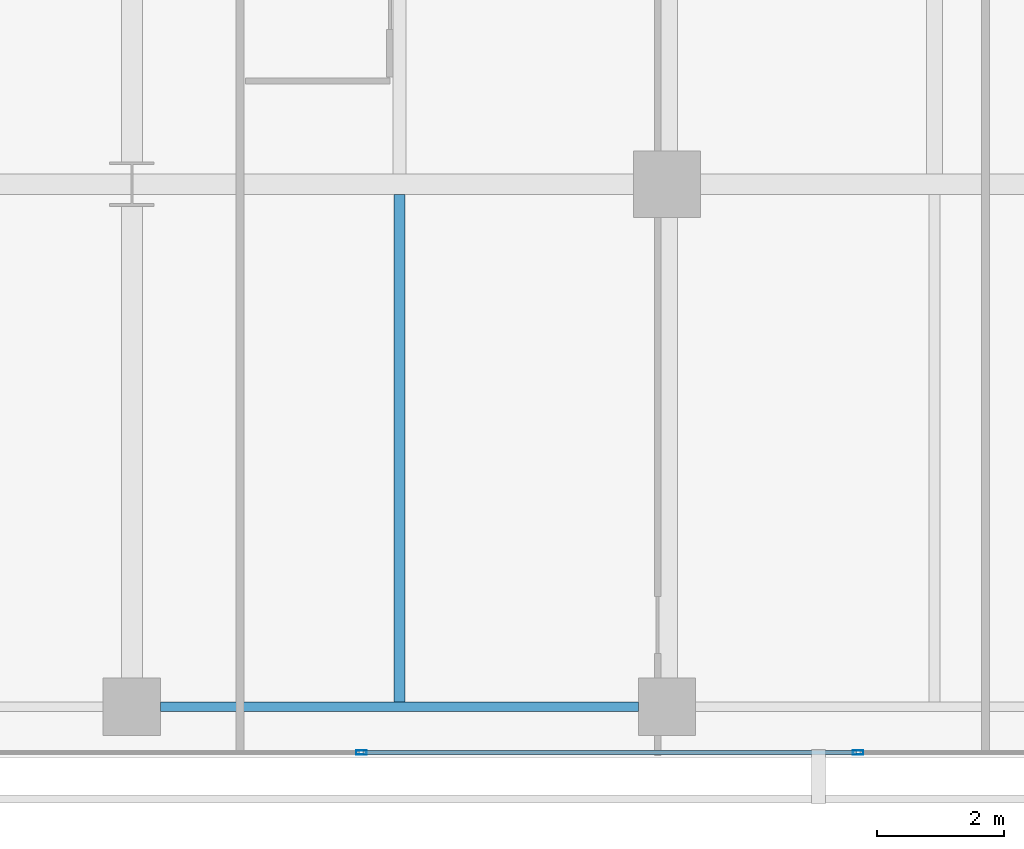
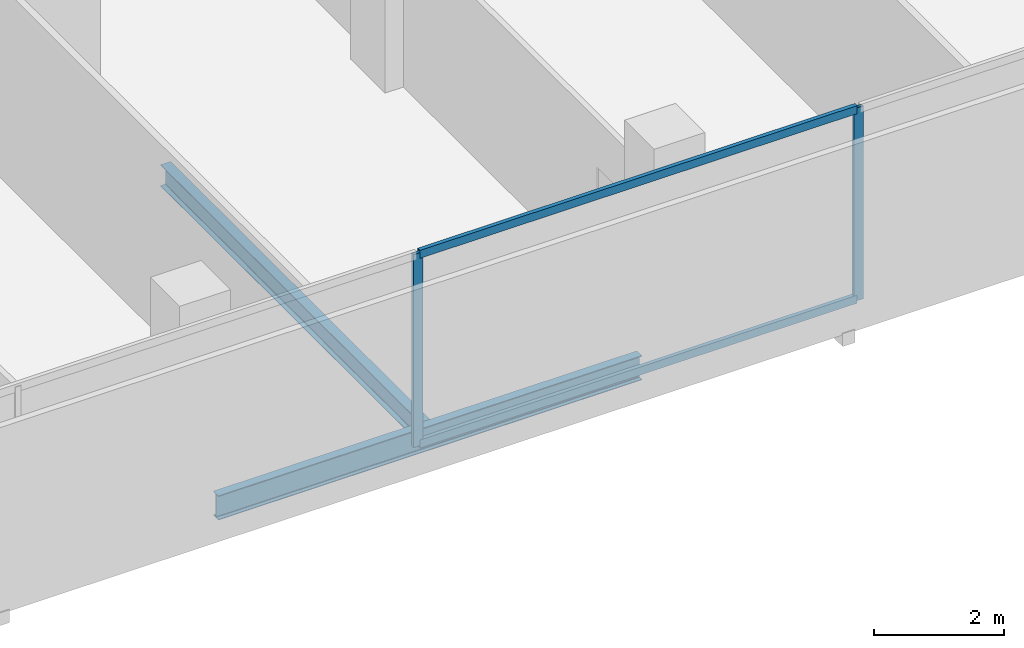
# One storey, part 14 of 39: 4 members, 2 beams, 1 element without a shape of its own.
"""IFC4 building model written with IfcOpenShell, lengths in metres."""

import ifcopenshell
import ifcopenshell.guid

model = None  # the IFC model being written
_history = None  # IfcOwnerHistory: only IFC2X3 demands one
_inside = {}  # id of a spatial element -> (the spatial element, [elements in it])
_under = {}  # id of a project, library or spatial element -> (it, [spatial elements below it])
_declared = {}  # id of a project -> (the project, [libraries it declares])
_typed = {}  # id of a type object -> (the type object, [elements of that type])
_made_of = {}  # id of a material, layer set ... -> (it, [elements and type objects made of it])


def new_model(schema):
    """Start an empty IFC model of exactly this schema.

    Asked for "IFC4X3", IfcOpenShell would pick the latest addendum, in which some entities
    have other attributes; the version numbers below select the first issue.
    IFC2X3 requires an IfcOwnerHistory on every rooted entity: one is made here for all.
    """
    global model, _history
    if schema == "IFC4X3":
        model = ifcopenshell.file(schema_version=(4, 3, 0, 0))
    else:
        model = ifcopenshell.file(schema=schema)
    _inside.clear()
    _under.clear()
    _declared.clear()
    _typed.clear()
    _made_of.clear()
    _history = None
    if model.schema == "IFC2X3":
        org = make("IfcOrganization", Name="unknown")
        user = make(
            "IfcPersonAndOrganization",
            ThePerson=make("IfcPerson", FamilyName="unknown"),
            TheOrganization=org,
        )
        app = make(
            "IfcApplication",
            ApplicationDeveloper=org,
            Version="unknown",
            ApplicationFullName="unknown",
            ApplicationIdentifier="unknown",
        )
        _history = make(
            "IfcOwnerHistory",
            OwningUser=user,
            OwningApplication=app,
            ChangeAction="ADDED",
            CreationDate=0,
        )
    return model


def make(cls, **values):
    """One entity of the class cls with the attributes given. An attribute that is None is left unset."""
    return model.create_entity(
        cls, **{name: value for name, value in values.items() if value is not None}
    )


def rooted(cls, **values):
    """An entity with a GlobalId (a new one), such as an element, a storey or a relation."""
    return make(cls, GlobalId=ifcopenshell.guid.new(), OwnerHistory=_history, **values)


def si_unit(unit_type, name, prefix=None):
    """IfcSIUnit, for example si_unit("LENGTHUNIT", "METRE", prefix="MILLI")."""
    return make("IfcSIUnit", UnitType=unit_type, Prefix=prefix, Name=name)


def assignment(units):
    """IfcUnitAssignment: the units of a project."""
    return None if units is None else make("IfcUnitAssignment", Units=units)


def point(xyz):
    """IfcCartesianPoint."""
    return None if xyz is None else make("IfcCartesianPoint", Coordinates=xyz)


def direction(xyz):
    """IfcDirection."""
    return None if xyz is None else make("IfcDirection", DirectionRatios=xyz)


def frame(location, z_axis=None, x_axis=None):
    """IfcAxis2Placement3D, a coordinate frame: its origin and axes. An axis left out is left unset."""
    return make(
        "IfcAxis2Placement3D",
        Location=point(location),
        Axis=direction(z_axis),
        RefDirection=direction(x_axis),
    )


def frame_2d(location, x_axis=None):
    """IfcAxis2Placement2D, a coordinate frame in the plane: its origin and x axis."""
    return make(
        "IfcAxis2Placement2D", Location=point(location), RefDirection=direction(x_axis)
    )


def origin():
    """The frame at (0, 0, 0) with its axes left unset."""
    return frame((0.0, 0.0, 0.0))


def origin_2d():
    """The frame at (0, 0) in the plane with its x axis left unset."""
    return frame_2d((0.0, 0.0))


def place(relative_to, where):
    """IfcLocalPlacement: puts the frame where relative to a parent placement (None: the world)."""
    return make(
        "IfcLocalPlacement", PlacementRelTo=relative_to, RelativePlacement=where
    )


def context(
    kind, dimensions, precision=None, world=None, true_north=None, identifier=None
):
    """IfcGeometricRepresentationContext, for example the 3D "Model" context."""
    return make(
        "IfcGeometricRepresentationContext",
        ContextIdentifier=identifier,
        ContextType=kind,
        CoordinateSpaceDimension=dimensions,
        Precision=precision,
        WorldCoordinateSystem=world,
        TrueNorth=true_north,
    )


def subcontext(parent, identifier, kind, view, scale=None):
    """IfcGeometricRepresentationSubContext, for example "Body" below "Model"."""
    return make(
        "IfcGeometricRepresentationSubContext",
        ContextIdentifier=identifier,
        ContextType=kind,
        ParentContext=parent,
        TargetScale=scale,
        TargetView=view,
    )


def project(units=None, contexts=None):
    """IfcProject with its units and contexts."""
    return rooted(
        "IfcProject",
        Name="project",
        RepresentationContexts=contexts,
        UnitsInContext=assignment(units),
    )


def spatial(cls, under=None, at=None, **own):
    """A site, building, storey or space (cls), placed at a placement, below another one or the project."""
    s = rooted(cls, ObjectPlacement=at, **own)
    if under is not None:
        _under.setdefault(under.id(), (under, []))[1].append(s)
    return s


def profile(cls, at=None, kind="AREA", **sizes):
    """A parametric profile (cls). Its sizes go by their IFC names, for example OverallWidth=200.0."""
    return make(cls, ProfileType=kind, Position=at, **sizes)


def hollow_rectangle(**sizes):
    """IfcRectangleHollowProfileDef."""
    return profile("IfcRectangleHollowProfileDef", **sizes)


def i_section(**sizes):
    """IfcIShapeProfileDef."""
    return profile("IfcIShapeProfileDef", **sizes)


def extrude(swept, where, along, depth):
    """IfcExtrudedAreaSolid: the profile swept, set in the frame where, extruded along a direction by depth."""
    return make(
        "IfcExtrudedAreaSolid",
        SweptArea=swept,
        Position=where,
        ExtrudedDirection=direction(along),
        Depth=depth,
    )


def shape(context_of_items, identifier, shape_type, items):
    """IfcShapeRepresentation: the items that make up one representation, for example the "Body"."""
    return make(
        "IfcShapeRepresentation",
        ContextOfItems=context_of_items,
        RepresentationIdentifier=identifier,
        RepresentationType=shape_type,
        Items=items,
    )


def material(Name=None, Category=None):
    """IfcMaterial."""
    return make("IfcMaterial", Name=Name, Category=Category)


def layer(
    of_material, thickness, ventilated=None, Name=None, Category=None, Priority=None
):
    """IfcMaterialLayer: one layer of a wall or slab, of a material (None: an air gap)."""
    return make(
        "IfcMaterialLayer",
        Material=of_material,
        LayerThickness=thickness,
        IsVentilated=ventilated,
        Name=Name,
        Category=Category,
        Priority=Priority,
    )


def layer_set(layers, Name=None):
    """IfcMaterialLayerSet."""
    return make("IfcMaterialLayerSet", MaterialLayers=layers, LayerSetName=Name)


def material_profile(
    of_material, cross_section, Name=None, Category=None, Priority=None
):
    """IfcMaterialProfile: a cross section and its material."""
    return make(
        "IfcMaterialProfile",
        Name=Name,
        Material=of_material,
        Profile=cross_section,
        Priority=Priority,
        Category=Category,
    )


def profile_set(profiles, Name=None, composite=None):
    """IfcMaterialProfileSet."""
    return make(
        "IfcMaterialProfileSet",
        Name=Name,
        MaterialProfiles=profiles,
        CompositeProfile=composite,
    )


def made_of(thing, what):
    """Note that an element or type object is made of a material, layer set ...; save() writes the relation."""
    if what is not None:
        _made_of.setdefault(what.id(), (what, []))[1].append(thing)
    return thing


def type_object(cls, material=None, **own):
    """A type object (cls), such as IfcWallType, which elements share."""
    return made_of(rooted(cls, **own), material)


def element(
    cls,
    number,
    at=None,
    inside=None,
    cuts=None,
    type_object=None,
    material=None,
    context=None,
    identifier="Body",
    shape_type=None,
    held_by="IfcProductDefinitionShape",
    body=None,
    shapes=None,
    **own,
):
    """One element of the class cls, such as IfcWall. Its Tag is "e" and its number.

    at: its placement. inside: the storey or other place that contains it. cuts: it is an
    opening in that element (IfcRelVoidsElement). A single representation is given by context,
    identifier, shape_type and body (its items); several are given by shapes. held_by: the class
    of the entity that holds the representations. save() writes the other relations.
    """
    e = rooted(cls, Tag="e%d" % number, ObjectPlacement=at, **own)
    if body is not None:
        shapes = [shape(context, identifier, shape_type, body)]
    if shapes is not None:
        e.Representation = make(held_by, Representations=shapes)
    if inside is not None:
        _inside.setdefault(inside.id(), (inside, []))[1].append(e)
    if cuts is not None:
        rooted(
            "IfcRelVoidsElement", RelatingBuildingElement=cuts, RelatedOpeningElement=e
        )
    if type_object is not None:
        _typed.setdefault(type_object.id(), (type_object, []))[1].append(e)
    return made_of(e, material)


def aggregate(whole, parts):
    """IfcRelAggregates: a whole, such as a stair, and the parts it consists of."""
    return rooted("IfcRelAggregates", RelatingObject=whole, RelatedObjects=parts)


def save(model, path):
    """Write the relations noted so far, then the file.

    IfcRelAggregates (storeys below a building ...), IfcRelContainedInSpatialStructure (elements
    in a storey), IfcRelDefinesByType, IfcRelAssociatesMaterial and IfcRelDeclares: one each for
    every whole, place, type object, material and project.
    """
    for whole, parts in _under.values():
        aggregate(whole, parts)
    for where, things in _inside.values():
        rooted(
            "IfcRelContainedInSpatialStructure",
            RelatedElements=things,
            RelatingStructure=where,
        )
    for kind, things in _typed.values():
        rooted("IfcRelDefinesByType", RelatedObjects=things, RelatingType=kind)
    for what, things in _made_of.values():
        rooted("IfcRelAssociatesMaterial", RelatedObjects=things, RelatingMaterial=what)
    for by, libraries in _declared.values():
        rooted("IfcRelDeclares", RelatingContext=by, RelatedDefinitions=libraries)
    model.write(path)


model = new_model("IFC4")

# Units and contexts
model_context = context("Model", 3, precision=1e-05, world=origin(), true_north=direction((0.0, 1.0)))
body_context = subcontext(model_context, "Body", "Model", "MODEL_VIEW")
ifc_project = project(units=[si_unit("LENGTHUNIT", "METRE"), si_unit("AREAUNIT", "SQUARE_METRE"), si_unit("VOLUMEUNIT", "CUBIC_METRE"), si_unit("PLANEANGLEUNIT", "RADIAN"), si_unit("MASSUNIT", "GRAM", prefix="KILO")], contexts=[model_context])

# Site, building, storey
site_placement = place(None, origin())
site = spatial("IfcSite", under=ifc_project, at=site_placement, CompositionType="ELEMENT")
building_placement = place(site_placement, origin())
building = spatial("IfcBuilding", under=site, at=building_placement, Name="Maruvema Waterfront Hotel and Observation Tower", CompositionType="ELEMENT")
storey_placement = place(building_placement, frame((0.0, 0.0, 69.300048828125)))
storey = spatial("IfcBuildingStorey", under=building, at=storey_placement, Name="L16", CompositionType="ELEMENT", Elevation=69.300048828125)

# Curtain wall, members
ifc_material_1 = material(Name="Anodised bronze aluminium and solar-control low-E IGU", Category="aluminium")
ifc_layer = layer(ifc_material_1, 0.159912109375, Name="Zone 1 Bronze Inner Thermal Curtain Wall System CW-02")
ifc_layer_set = layer_set([ifc_layer], Name="Anodised bronze aluminium and solar-control low-E IGU")
curtain_wall_type = type_object("IfcCurtainWallType", Name="Zone 1 Bronze Inner Thermal Curtain Wall System CW-02", PredefinedType="USERDEFINED", material=ifc_layer_set)
curtain_wall_placement = place(storey_placement, origin())
curtain_wall = element("IfcCurtainWall", 1, at=curtain_wall_placement, inside=storey, type_object=curtain_wall_type, Name="L16 Curtain Wall CW-L16-S", ObjectType="UNITISED CURTAIN WALL", PredefinedType="USERDEFINED")
ifc_material_2 = material(Name="Anodised architectural bronze aluminium", Category="aluminium")
ifc_material_profile_1 = material_profile(ifc_material_2, hollow_rectangle(XDim=0.070068359375, YDim=0.14990234375, WallThickness=0.00390625, at=origin_2d()), Name="ALU-T70x150")
ifc_profile_set_1 = profile_set([ifc_material_profile_1], Name="Anodised architectural bronze aluminium")
member_type_1 = type_object("IfcMemberType", Name="Curtain Wall Horizontal Transom ALU-T70x150", PredefinedType="USERDEFINED", material=ifc_profile_set_1)
member_1_placement = place(storey_placement, frame((45.6298828125, 0.080078125, 0.030029296875), z_axis=(1.0, 0.0, 0.0), x_axis=(0.0, 1.0, 0.0)))
member_1 = element("IfcMember", 2, at=member_1_placement, type_object=member_type_1, Name="CW-02 transom 5.1", ObjectType="TRANSOM", PredefinedType="USERDEFINED", context=body_context, shape_type="SweptSolid", body=[
    extrude(hollow_rectangle(XDim=0.070068359375, YDim=0.14990234375, WallThickness=0.00390625, at=origin_2d()), origin(), (0.0, 0.0, 1.0), 7.740234375),
])
member_2_placement = place(storey_placement, frame((45.6298828125, 0.080078125, 3.579833984375), z_axis=(1.0, 0.0, 0.0), x_axis=(0.0, 1.0, 0.0)))
member_2 = element("IfcMember", 3, at=member_2_placement, type_object=member_type_1, Name="CW-02 transom 5.2", ObjectType="TRANSOM", PredefinedType="USERDEFINED", context=body_context, shape_type="SweptSolid", body=[
    extrude(hollow_rectangle(XDim=0.070068359375, YDim=0.14990234375, WallThickness=0.00390625, at=origin_2d()), origin(), (0.0, 0.0, 1.0), 7.740234375),
])
ifc_material_3 = material(Name="Anodised architectural bronze aluminium", Category="aluminium")
ifc_material_profile_2 = material_profile(ifc_material_3, hollow_rectangle(XDim=0.06494140625, YDim=0.1650390625, WallThickness=0.00390625, at=origin_2d()), Name="ALU-M65x165")
ifc_profile_set_2 = profile_set([ifc_material_profile_2], Name="Anodised architectural bronze aluminium")
member_type_2 = type_object("IfcMemberType", Name="Curtain Wall Primary Mullion ALU-M65x165", PredefinedType="MULLION", material=ifc_profile_set_2)
member_3_placement = place(storey_placement, frame((45.60009765625, 0.080078125, 0.0), z_axis=(0.0, 0.0, 1.0), x_axis=(0.0, 1.0, 0.0)))
member_3 = element("IfcMember", 4, at=member_3_placement, type_object=member_type_2, Name="CW-02 mullion 5", PredefinedType="MULLION", context=body_context, shape_type="SweptSolid", body=[
    extrude(hollow_rectangle(XDim=0.06494140625, YDim=0.1650390625, WallThickness=0.00390625, at=origin_2d()), origin(), (0.0, 0.0, 1.0), 3.60986328125),
])
member_4_placement = place(storey_placement, frame((53.39990234375, 0.080078125, 0.0), z_axis=(0.0, 0.0, 1.0), x_axis=(0.0, 1.0, 0.0)))
member_4 = element("IfcMember", 5, at=member_4_placement, type_object=member_type_2, Name="CW-02 mullion 6", PredefinedType="MULLION", context=body_context, shape_type="SweptSolid", body=[
    extrude(hollow_rectangle(XDim=0.06494140625, YDim=0.1650390625, WallThickness=0.00390625, at=origin_2d()), origin(), (0.0, 0.0, 1.0), 3.60986328125),
])
aggregate(curtain_wall, [member_3, member_4, member_1, member_2])

# Beams
ifc_material_4 = material(Name="Steel ASTM A572 Grade 50", Category="steel")
ifc_material_profile_3 = material_profile(ifc_material_4, i_section(OverallWidth=0.153076171875, OverallDepth=0.455078125, WebThickness=0.008056640625, FlangeThickness=0.01318359375, FilletRadius=0.014892578125, at=origin_2d()), Name="W460x60.0")
ifc_profile_set_3 = profile_set([ifc_material_profile_3], Name="Steel ASTM A572 Grade 50")
beam_type_1 = type_object("IfcBeamType", Name="Perimeter Spandrel Beam W460x60.0", PredefinedType="SPANDREL", material=ifc_profile_set_3)
beam_1_placement = place(storey_placement, frame((42.449951171875, 0.800048828125, -0.467529296875), z_axis=(1.0, 0.0, 0.0), x_axis=(0.0, 1.0, 0.0)))
element("IfcBeam", 6, at=beam_1_placement, inside=storey, type_object=beam_type_1, Name="L16 Floor Girder EW-04", PredefinedType="SPANDREL", context=body_context, shape_type="SweptSolid", body=[
    extrude(i_section(OverallWidth=0.153076171875, OverallDepth=0.455078125, WebThickness=0.008056640625, FlangeThickness=0.01318359375, FilletRadius=0.014892578125, at=origin_2d()), origin(), (0.0, 0.0, 1.0), 7.5),
])
ifc_material_5 = material(Name="Steel ASTM A572 Grade 50", Category="steel")
ifc_material_profile_4 = material_profile(ifc_material_5, i_section(OverallWidth=0.177001953125, OverallDepth=0.403076171875, WebThickness=0.007568359375, FlangeThickness=0.010986328125, FilletRadius=0.014892578125, at=origin_2d()), Name="W410x53.0")
ifc_profile_set_4 = profile_set([ifc_material_profile_4], Name="Steel ASTM A572 Grade 50")
beam_type_2 = type_object("IfcBeamType", Name="Secondary Floor Joist W410x53.0", PredefinedType="JOIST", material=ifc_profile_set_4)
beam_2_placement = place(storey_placement, frame((46.199951171875, 0.87646484375, -0.441650390625), z_axis=(0.0, 1.0, 0.0), x_axis=(-1.0, 0.0, 0.0)))
element("IfcBeam", 7, at=beam_2_placement, inside=storey, type_object=beam_type_2, Name="L16 Secondary Floor Joist JS-14", PredefinedType="JOIST", context=body_context, shape_type="SweptSolid", body=[
    extrude(i_section(OverallWidth=0.177001953125, OverallDepth=0.403076171875, WebThickness=0.007568359375, FlangeThickness=0.010986328125, FilletRadius=0.014892578125, at=origin_2d()), origin(), (0.0, 0.0, 1.0), 7.9599609375),
])

save(model, "model.ifc")
